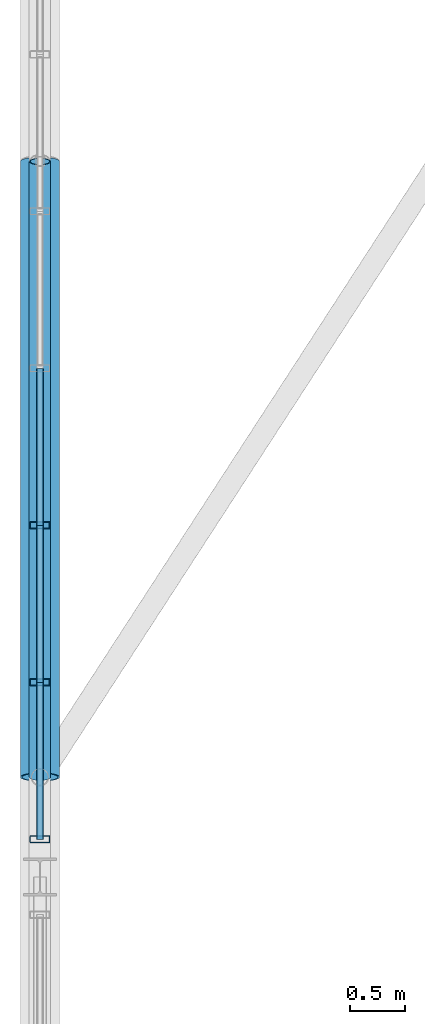
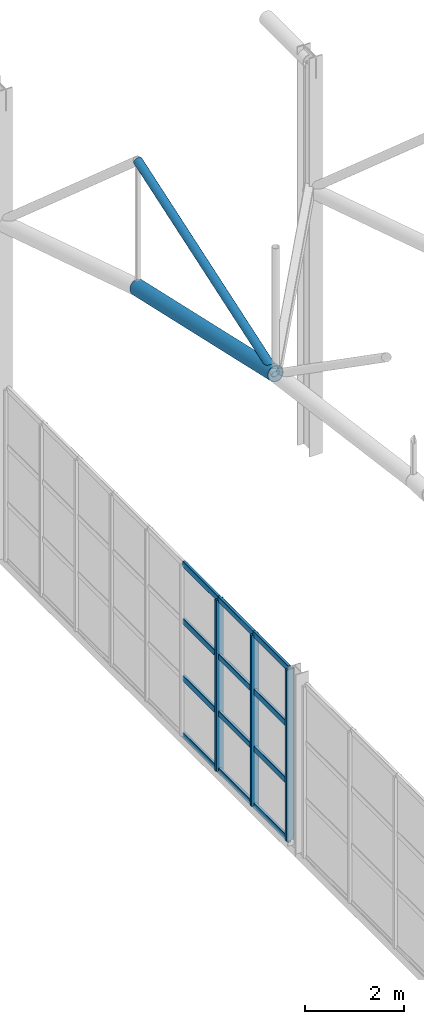
# One storey, part 48 of 153: 17 members, 1 element without a shape of its own.
"""IFC4 building model written with IfcOpenShell, lengths in metres."""

from ifc_helpers import new_model, si_unit, derived_unit, direction, frame, origin, origin_2d, place, context, subcontext, project, spatial, hollow_rectangle, hollow_circle, extrude, material, material_profile, profile_set, type_object, element, aggregate, save


model = new_model("IFC4")

# Units and contexts
model_context = context("Model", 3, precision=1e-05, world=origin(), true_north=direction((0.0, 1.0)))
body_context = subcontext(model_context, "Body", "Model", "MODEL_VIEW")
ifc_project = project(units=[si_unit("LENGTHUNIT", "METRE"), si_unit("AREAUNIT", "SQUARE_METRE"), si_unit("VOLUMEUNIT", "CUBIC_METRE"), si_unit("PLANEANGLEUNIT", "RADIAN"), si_unit("MASSUNIT", "GRAM", prefix="KILO"), derived_unit("THERMALTRANSMITTANCEUNIT", [(si_unit("POWERUNIT", "WATT"), 1), (si_unit("LENGTHUNIT", "METRE"), -2), (si_unit("THERMODYNAMICTEMPERATUREUNIT", "KELVIN"), -1)])], contexts=[model_context])

# Site, building, storey
site_placement = place(None, origin())
site = spatial("IfcSite", under=ifc_project, at=site_placement, CompositionType="ELEMENT")
building_placement = place(site_placement, origin())
building = spatial("IfcBuilding", under=site, at=building_placement, Name="Keldorne Ridge Multi-Sports Centre", CompositionType="ELEMENT")
storey_placement = place(building_placement, frame((0.0, 0.0, 9.60009765625)))
storey = spatial("IfcBuildingStorey", under=building, at=storey_placement, Name="L02", CompositionType="ELEMENT", Elevation=9.60009765625)

# Curtain wall, members
ifc_material_1 = material(Name="Anodized aluminium", Category="aluminium")
curtain_wall_type = type_object("IfcCurtainWallType", Name="CW-CW-01", PredefinedType="NOTDEFINED", material=ifc_material_1)
curtain_wall_placement = place(storey_placement, origin())
curtain_wall = element("IfcCurtainWall", 1, at=curtain_wall_placement, inside=storey, type_object=curtain_wall_type, Name="Main Hall west high gable glazing 033", PredefinedType="NOTDEFINED")
ifc_material_profile_1 = material_profile(ifc_material_1, hollow_rectangle(XDim=0.06494140625, YDim=0.179931640625, WallThickness=0.00439453125, InnerFilletRadius=0.00439453125, OuterFilletRadius=0.009033203125, at=origin_2d()), Name="ALU MULLION 180x65x4.5")
ifc_profile_set_1 = profile_set([ifc_material_profile_1], Name="Anodized aluminium")
member_type_1 = type_object("IfcMemberType", Name="MEM-ML-01", PredefinedType="MULLION", material=ifc_profile_set_1)
member_1_placement = place(storey_placement, frame((6.0, 45.169921875, 0.0), z_axis=(0.0, 0.0, 1.0), x_axis=(0.0, 1.0, 0.0)))
member_1 = element("IfcMember", 2, at=member_1_placement, type_object=member_type_1, Name="CW-033 vertical mullion 7", PredefinedType="MULLION", context=body_context, shape_type="SweptSolid", body=[
    extrude(hollow_rectangle(XDim=0.06494140625, YDim=0.179931640625, WallThickness=0.00439453125, InnerFilletRadius=0.00439453125, OuterFilletRadius=0.009033203125, at=origin_2d()), origin(), (0.0, 0.0, 1.0), 4.199951171875),
])
member_2_placement = place(storey_placement, frame((6.0, 43.7548828125, 0.0), z_axis=(0.0, 0.0, 1.0), x_axis=(0.0, 1.0, 0.0)))
member_2 = element("IfcMember", 3, at=member_2_placement, type_object=member_type_1, Name="CW-033 vertical mullion 8", PredefinedType="MULLION", context=body_context, shape_type="SweptSolid", body=[
    extrude(hollow_rectangle(XDim=0.06494140625, YDim=0.179931640625, WallThickness=0.00439453125, InnerFilletRadius=0.00439453125, OuterFilletRadius=0.009033203125, at=origin_2d()), origin(), (0.0, 0.0, 1.0), 4.199951171875),
])
member_3_placement = place(storey_placement, frame((6.0, 42.340087890625, 0.0), z_axis=(0.0, 0.0, 1.0), x_axis=(0.0, 1.0, 0.0)))
member_3 = element("IfcMember", 4, at=member_3_placement, type_object=member_type_1, Name="CW-033 vertical mullion 9", PredefinedType="MULLION", context=body_context, shape_type="SweptSolid", body=[
    extrude(hollow_rectangle(XDim=0.06494140625, YDim=0.179931640625, WallThickness=0.00439453125, InnerFilletRadius=0.00439453125, OuterFilletRadius=0.009033203125, at=origin_2d()), origin(), (0.0, 0.0, 1.0), 4.199951171875),
])

# Members
ifc_material_2 = material(Name="Steel S355", Category="steel")
ifc_material_profile_2 = material_profile(ifc_material_2, hollow_circle(Radius=0.177734375, WallThickness=0.01611328125, at=origin_2d()), Name="CHS 355.6x16")
ifc_profile_set_2 = profile_set([ifc_material_profile_2], Name="Steel S355")
member_type_2 = type_object("IfcMemberType", Name="MEM-TC-01", PredefinedType="CHORD", material=ifc_profile_set_2)
member_4_placement = place(storey_placement, frame((6.0, 42.89990234375, 11.099853515625), z_axis=(0.0, 0.975563092904, -0.219719484259), x_axis=(-1.0, 0.0, 0.0)))
element("IfcMember", 5, at=member_4_placement, inside=storey, type_object=member_type_2, Name="Main Hall ROOF TRUSS AT-01 bottom chord 7", PredefinedType="CHORD", context=body_context, shape_type="SweptSolid", body=[
    extrude(hollow_circle(Radius=0.177734375, WallThickness=0.01611328125, at=origin_2d()), origin(), (0.0, 0.0, 1.0), 5.68896484375),
])
ifc_material_profile_3 = material_profile(ifc_material_2, hollow_circle(Radius=0.096923828125, WallThickness=0.010009765625, at=origin_2d()), Name="CHS 193.7x10")
ifc_profile_set_3 = profile_set([ifc_material_profile_3], Name="Steel S355")
member_type_3 = type_object("IfcMemberType", Name="MEM-TD-01", PredefinedType="BRACE", material=ifc_profile_set_3)
member_5_placement = place(storey_placement, frame((6.0, 42.89990234375, 11.099853515625), z_axis=(0.0, 0.94764862416, 0.319315024901), x_axis=(-1.0, 0.0, 0.0)))
element("IfcMember", 6, at=member_5_placement, inside=storey, type_object=member_type_3, Name="Main Hall ROOF TRUSS AT-01 diagonal 7", PredefinedType="BRACE", context=body_context, shape_type="SweptSolid", body=[
    extrude(hollow_circle(Radius=0.096923828125, WallThickness=0.010009765625, at=origin_2d()), origin(), (0.0, 0.0, 1.0), 5.856689453125),
])

# Member
ifc_material_profile_4 = material_profile(ifc_material_1, hollow_rectangle(XDim=0.06494140625, YDim=0.139892578125, WallThickness=0.00439453125, InnerFilletRadius=0.00439453125, OuterFilletRadius=0.009033203125, at=origin_2d()), Name="ALU TRANSOM 140x65x4.5")
ifc_profile_set_4 = profile_set([ifc_material_profile_4], Name="Anodized aluminium")
member_type_4 = type_object("IfcMemberType", Name="MEM-TR-01", PredefinedType="USERDEFINED", material=ifc_profile_set_4)
member_6_placement = place(storey_placement, frame((6.0, 46.5849609375, 0.0), z_axis=(0.0, -1.0, 0.0), x_axis=(1.0, 0.0, 0.0)))
member_6 = element("IfcMember", 7, at=member_6_placement, type_object=member_type_4, Name="CW-033 transom 6.1", ObjectType="TRANSOM", PredefinedType="USERDEFINED", context=body_context, shape_type="SweptSolid", body=[
    extrude(hollow_rectangle(XDim=0.06494140625, YDim=0.139892578125, WallThickness=0.00439453125, InnerFilletRadius=0.00439453125, OuterFilletRadius=0.009033203125, at=origin_2d()), origin(), (0.0, 0.0, 1.0), 1.4150390625),
])

member_7_placement = place(storey_placement, frame((6.0, 46.5849609375, 1.39990234375), z_axis=(0.0, -1.0, 0.0), x_axis=(1.0, 0.0, 0.0)))
member_7 = element("IfcMember", 8, at=member_7_placement, type_object=member_type_4, Name="CW-033 transom 6.2", ObjectType="TRANSOM", PredefinedType="USERDEFINED", context=body_context, shape_type="SweptSolid", body=[
    extrude(hollow_rectangle(XDim=0.06494140625, YDim=0.139892578125, WallThickness=0.00439453125, InnerFilletRadius=0.00439453125, OuterFilletRadius=0.009033203125, at=origin_2d()), origin(), (0.0, 0.0, 1.0), 1.4150390625),
])

member_8_placement = place(storey_placement, frame((6.0, 46.5849609375, 2.7998046875), z_axis=(0.0, -1.0, 0.0), x_axis=(1.0, 0.0, 0.0)))
member_8 = element("IfcMember", 9, at=member_8_placement, type_object=member_type_4, Name="CW-033 transom 6.3", ObjectType="TRANSOM", PredefinedType="USERDEFINED", context=body_context, shape_type="SweptSolid", body=[
    extrude(hollow_rectangle(XDim=0.06494140625, YDim=0.139892578125, WallThickness=0.00439453125, InnerFilletRadius=0.00439453125, OuterFilletRadius=0.009033203125, at=origin_2d()), origin(), (0.0, 0.0, 1.0), 1.4150390625),
])

member_9_placement = place(storey_placement, frame((6.0, 46.5849609375, 4.199951171875), z_axis=(0.0, -1.0, 0.0), x_axis=(1.0, 0.0, 0.0)))
member_9 = element("IfcMember", 10, at=member_9_placement, type_object=member_type_4, Name="CW-033 transom 6.4", ObjectType="TRANSOM", PredefinedType="USERDEFINED", context=body_context, shape_type="SweptSolid", body=[
    extrude(hollow_rectangle(XDim=0.06494140625, YDim=0.139892578125, WallThickness=0.00439453125, InnerFilletRadius=0.00439453125, OuterFilletRadius=0.009033203125, at=origin_2d()), origin(), (0.0, 0.0, 1.0), 1.4150390625),
])

member_10_placement = place(storey_placement, frame((6.0, 45.169921875, 0.0), z_axis=(0.0, -1.0, 0.0), x_axis=(1.0, 0.0, 0.0)))
member_10 = element("IfcMember", 11, at=member_10_placement, type_object=member_type_4, Name="CW-033 transom 7.1", ObjectType="TRANSOM", PredefinedType="USERDEFINED", context=body_context, shape_type="SweptSolid", body=[
    extrude(hollow_rectangle(XDim=0.06494140625, YDim=0.139892578125, WallThickness=0.00439453125, InnerFilletRadius=0.00439453125, OuterFilletRadius=0.009033203125, at=origin_2d()), origin(), (0.0, 0.0, 1.0), 1.4150390625),
])

member_11_placement = place(storey_placement, frame((6.0, 45.169921875, 1.39990234375), z_axis=(0.0, -1.0, 0.0), x_axis=(1.0, 0.0, 0.0)))
member_11 = element("IfcMember", 12, at=member_11_placement, type_object=member_type_4, Name="CW-033 transom 7.2", ObjectType="TRANSOM", PredefinedType="USERDEFINED", context=body_context, shape_type="SweptSolid", body=[
    extrude(hollow_rectangle(XDim=0.06494140625, YDim=0.139892578125, WallThickness=0.00439453125, InnerFilletRadius=0.00439453125, OuterFilletRadius=0.009033203125, at=origin_2d()), origin(), (0.0, 0.0, 1.0), 1.4150390625),
])

member_12_placement = place(storey_placement, frame((6.0, 45.169921875, 2.7998046875), z_axis=(0.0, -1.0, 0.0), x_axis=(1.0, 0.0, 0.0)))
member_12 = element("IfcMember", 13, at=member_12_placement, type_object=member_type_4, Name="CW-033 transom 7.3", ObjectType="TRANSOM", PredefinedType="USERDEFINED", context=body_context, shape_type="SweptSolid", body=[
    extrude(hollow_rectangle(XDim=0.06494140625, YDim=0.139892578125, WallThickness=0.00439453125, InnerFilletRadius=0.00439453125, OuterFilletRadius=0.009033203125, at=origin_2d()), origin(), (0.0, 0.0, 1.0), 1.4150390625),
])

member_13_placement = place(storey_placement, frame((6.0, 45.169921875, 4.199951171875), z_axis=(0.0, -1.0, 0.0), x_axis=(1.0, 0.0, 0.0)))
member_13 = element("IfcMember", 14, at=member_13_placement, type_object=member_type_4, Name="CW-033 transom 7.4", ObjectType="TRANSOM", PredefinedType="USERDEFINED", context=body_context, shape_type="SweptSolid", body=[
    extrude(hollow_rectangle(XDim=0.06494140625, YDim=0.139892578125, WallThickness=0.00439453125, InnerFilletRadius=0.00439453125, OuterFilletRadius=0.009033203125, at=origin_2d()), origin(), (0.0, 0.0, 1.0), 1.4150390625),
])

member_14_placement = place(storey_placement, frame((6.0, 43.7548828125, 0.0), z_axis=(0.0, -1.0, 0.0), x_axis=(1.0, 0.0, 0.0)))
member_14 = element("IfcMember", 15, at=member_14_placement, type_object=member_type_4, Name="CW-033 transom 8.1", ObjectType="TRANSOM", PredefinedType="USERDEFINED", context=body_context, shape_type="SweptSolid", body=[
    extrude(hollow_rectangle(XDim=0.06494140625, YDim=0.139892578125, WallThickness=0.00439453125, InnerFilletRadius=0.00439453125, OuterFilletRadius=0.009033203125, at=origin_2d()), origin(), (0.0, 0.0, 1.0), 1.414794921875),
])

member_15_placement = place(storey_placement, frame((6.0, 43.7548828125, 1.39990234375), z_axis=(0.0, -1.0, 0.0), x_axis=(1.0, 0.0, 0.0)))
member_15 = element("IfcMember", 16, at=member_15_placement, type_object=member_type_4, Name="CW-033 transom 8.2", ObjectType="TRANSOM", PredefinedType="USERDEFINED", context=body_context, shape_type="SweptSolid", body=[
    extrude(hollow_rectangle(XDim=0.06494140625, YDim=0.139892578125, WallThickness=0.00439453125, InnerFilletRadius=0.00439453125, OuterFilletRadius=0.009033203125, at=origin_2d()), origin(), (0.0, 0.0, 1.0), 1.414794921875),
])

member_16_placement = place(storey_placement, frame((6.0, 43.7548828125, 2.7998046875), z_axis=(0.0, -1.0, 0.0), x_axis=(1.0, 0.0, 0.0)))
member_16 = element("IfcMember", 17, at=member_16_placement, type_object=member_type_4, Name="CW-033 transom 8.3", ObjectType="TRANSOM", PredefinedType="USERDEFINED", context=body_context, shape_type="SweptSolid", body=[
    extrude(hollow_rectangle(XDim=0.06494140625, YDim=0.139892578125, WallThickness=0.00439453125, InnerFilletRadius=0.00439453125, OuterFilletRadius=0.009033203125, at=origin_2d()), origin(), (0.0, 0.0, 1.0), 1.414794921875),
])

member_17_placement = place(storey_placement, frame((6.0, 43.7548828125, 4.199951171875), z_axis=(0.0, -1.0, 0.0), x_axis=(1.0, 0.0, 0.0)))
member_17 = element("IfcMember", 18, at=member_17_placement, type_object=member_type_4, Name="CW-033 transom 8.4", ObjectType="TRANSOM", PredefinedType="USERDEFINED", context=body_context, shape_type="SweptSolid", body=[
    extrude(hollow_rectangle(XDim=0.06494140625, YDim=0.139892578125, WallThickness=0.00439453125, InnerFilletRadius=0.00439453125, OuterFilletRadius=0.009033203125, at=origin_2d()), origin(), (0.0, 0.0, 1.0), 1.414794921875),
])

aggregate(curtain_wall, [member_1, member_2, member_3, member_6, member_7, member_8, member_9, member_10, member_11, member_12, member_13, member_14, member_15, member_16, member_17])

save(model, "model.ifc")
